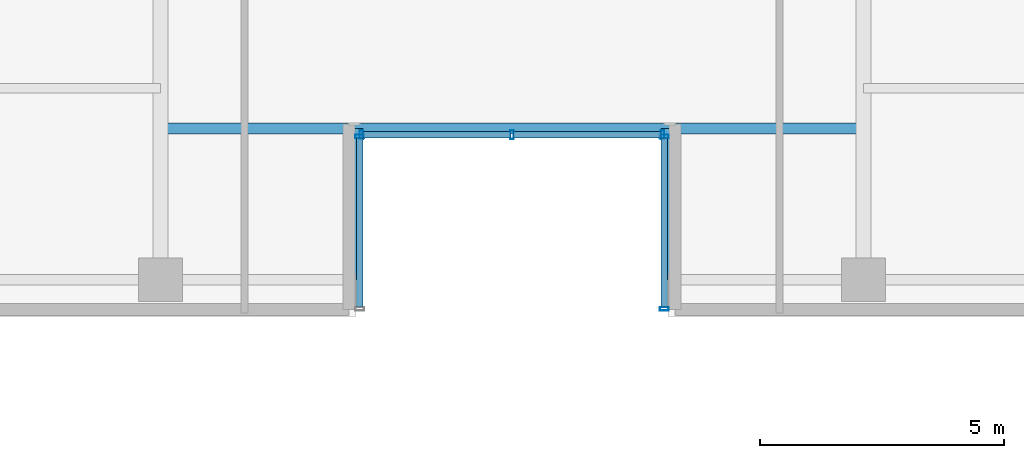
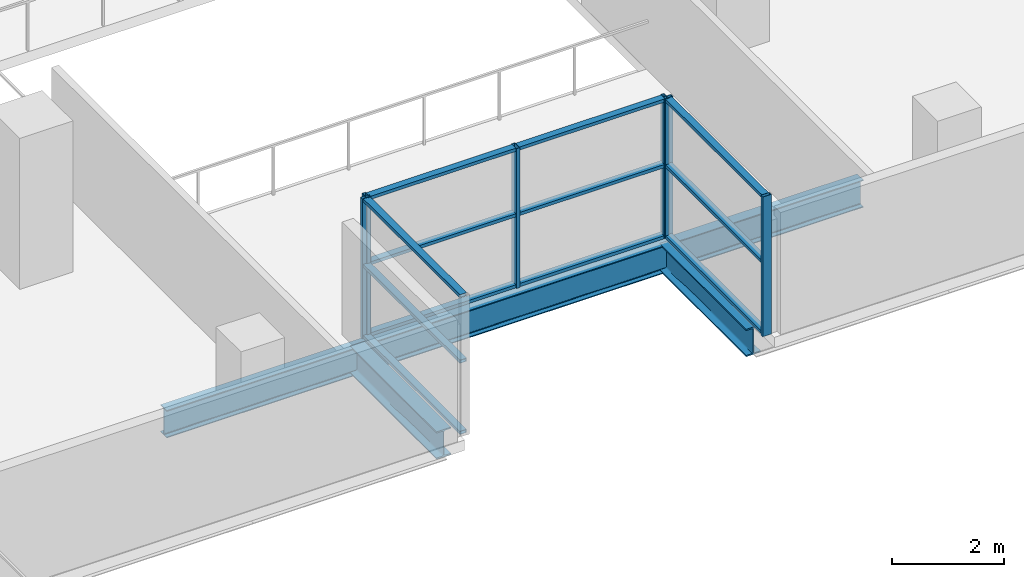
# One storey, part 6 of 26: 18 members, 3 beams, 3 elements without a shape of their own.
"""IFC4 building model written with IfcOpenShell, lengths in metres."""

import ifcopenshell
import ifcopenshell.guid

model = None  # the IFC model being written
_history = None  # IfcOwnerHistory: only IFC2X3 demands one
_inside = {}  # id of a spatial element -> (the spatial element, [elements in it])
_under = {}  # id of a project, library or spatial element -> (it, [spatial elements below it])
_declared = {}  # id of a project -> (the project, [libraries it declares])
_typed = {}  # id of a type object -> (the type object, [elements of that type])
_made_of = {}  # id of a material, layer set ... -> (it, [elements and type objects made of it])


def new_model(schema):
    """Start an empty IFC model of exactly this schema.

    Asked for "IFC4X3", IfcOpenShell would pick the latest addendum, in which some entities
    have other attributes; the version numbers below select the first issue.
    IFC2X3 requires an IfcOwnerHistory on every rooted entity: one is made here for all.
    """
    global model, _history
    if schema == "IFC4X3":
        model = ifcopenshell.file(schema_version=(4, 3, 0, 0))
    else:
        model = ifcopenshell.file(schema=schema)
    _inside.clear()
    _under.clear()
    _declared.clear()
    _typed.clear()
    _made_of.clear()
    _history = None
    if model.schema == "IFC2X3":
        org = make("IfcOrganization", Name="unknown")
        user = make(
            "IfcPersonAndOrganization",
            ThePerson=make("IfcPerson", FamilyName="unknown"),
            TheOrganization=org,
        )
        app = make(
            "IfcApplication",
            ApplicationDeveloper=org,
            Version="unknown",
            ApplicationFullName="unknown",
            ApplicationIdentifier="unknown",
        )
        _history = make(
            "IfcOwnerHistory",
            OwningUser=user,
            OwningApplication=app,
            ChangeAction="ADDED",
            CreationDate=0,
        )
    return model


def make(cls, **values):
    """One entity of the class cls with the attributes given. An attribute that is None is left unset."""
    return model.create_entity(
        cls, **{name: value for name, value in values.items() if value is not None}
    )


def rooted(cls, **values):
    """An entity with a GlobalId (a new one), such as an element, a storey or a relation."""
    return make(cls, GlobalId=ifcopenshell.guid.new(), OwnerHistory=_history, **values)


def si_unit(unit_type, name, prefix=None):
    """IfcSIUnit, for example si_unit("LENGTHUNIT", "METRE", prefix="MILLI")."""
    return make("IfcSIUnit", UnitType=unit_type, Prefix=prefix, Name=name)


def assignment(units):
    """IfcUnitAssignment: the units of a project."""
    return None if units is None else make("IfcUnitAssignment", Units=units)


def point(xyz):
    """IfcCartesianPoint."""
    return None if xyz is None else make("IfcCartesianPoint", Coordinates=xyz)


def direction(xyz):
    """IfcDirection."""
    return None if xyz is None else make("IfcDirection", DirectionRatios=xyz)


def frame(location, z_axis=None, x_axis=None):
    """IfcAxis2Placement3D, a coordinate frame: its origin and axes. An axis left out is left unset."""
    return make(
        "IfcAxis2Placement3D",
        Location=point(location),
        Axis=direction(z_axis),
        RefDirection=direction(x_axis),
    )


def frame_2d(location, x_axis=None):
    """IfcAxis2Placement2D, a coordinate frame in the plane: its origin and x axis."""
    return make(
        "IfcAxis2Placement2D", Location=point(location), RefDirection=direction(x_axis)
    )


def origin():
    """The frame at (0, 0, 0) with its axes left unset."""
    return frame((0.0, 0.0, 0.0))


def origin_2d():
    """The frame at (0, 0) in the plane with its x axis left unset."""
    return frame_2d((0.0, 0.0))


def place(relative_to, where):
    """IfcLocalPlacement: puts the frame where relative to a parent placement (None: the world)."""
    return make(
        "IfcLocalPlacement", PlacementRelTo=relative_to, RelativePlacement=where
    )


def context(
    kind, dimensions, precision=None, world=None, true_north=None, identifier=None
):
    """IfcGeometricRepresentationContext, for example the 3D "Model" context."""
    return make(
        "IfcGeometricRepresentationContext",
        ContextIdentifier=identifier,
        ContextType=kind,
        CoordinateSpaceDimension=dimensions,
        Precision=precision,
        WorldCoordinateSystem=world,
        TrueNorth=true_north,
    )


def subcontext(parent, identifier, kind, view, scale=None):
    """IfcGeometricRepresentationSubContext, for example "Body" below "Model"."""
    return make(
        "IfcGeometricRepresentationSubContext",
        ContextIdentifier=identifier,
        ContextType=kind,
        ParentContext=parent,
        TargetScale=scale,
        TargetView=view,
    )


def project(units=None, contexts=None):
    """IfcProject with its units and contexts."""
    return rooted(
        "IfcProject",
        Name="project",
        RepresentationContexts=contexts,
        UnitsInContext=assignment(units),
    )


def spatial(cls, under=None, at=None, **own):
    """A site, building, storey or space (cls), placed at a placement, below another one or the project."""
    s = rooted(cls, ObjectPlacement=at, **own)
    if under is not None:
        _under.setdefault(under.id(), (under, []))[1].append(s)
    return s


def profile(cls, at=None, kind="AREA", **sizes):
    """A parametric profile (cls). Its sizes go by their IFC names, for example OverallWidth=200.0."""
    return make(cls, ProfileType=kind, Position=at, **sizes)


def hollow_rectangle(**sizes):
    """IfcRectangleHollowProfileDef."""
    return profile("IfcRectangleHollowProfileDef", **sizes)


def i_section(**sizes):
    """IfcIShapeProfileDef."""
    return profile("IfcIShapeProfileDef", **sizes)


def extrude(swept, where, along, depth):
    """IfcExtrudedAreaSolid: the profile swept, set in the frame where, extruded along a direction by depth."""
    return make(
        "IfcExtrudedAreaSolid",
        SweptArea=swept,
        Position=where,
        ExtrudedDirection=direction(along),
        Depth=depth,
    )


def shape(context_of_items, identifier, shape_type, items):
    """IfcShapeRepresentation: the items that make up one representation, for example the "Body"."""
    return make(
        "IfcShapeRepresentation",
        ContextOfItems=context_of_items,
        RepresentationIdentifier=identifier,
        RepresentationType=shape_type,
        Items=items,
    )


def source(mapping_origin, context_of_items, identifier, shape_type, items):
    """IfcRepresentationMap: a shape defined once, which mapped items show again and again."""
    return make(
        "IfcRepresentationMap",
        MappingOrigin=mapping_origin,
        MappedRepresentation=shape(context_of_items, identifier, shape_type, items),
    )


def transform(
    local_origin,
    x_axis=None,
    y_axis=None,
    z_axis=None,
    scale=None,
    scale2=None,
    scale3=None,
    uniform=True,
):
    """IfcCartesianTransformationOperator3D, or its non-uniform kind. x_axis, y_axis, z_axis: its Axis1, 2, 3."""
    if uniform:
        return make(
            "IfcCartesianTransformationOperator3D",
            Axis1=direction(x_axis),
            Axis2=direction(y_axis),
            LocalOrigin=point(local_origin),
            Scale=scale,
            Axis3=direction(z_axis),
        )
    return make(
        "IfcCartesianTransformationOperator3DnonUniform",
        Axis1=direction(x_axis),
        Axis2=direction(y_axis),
        LocalOrigin=point(local_origin),
        Scale=scale,
        Axis3=direction(z_axis),
        Scale2=scale2,
        Scale3=scale3,
    )


def mapped(mapping_source, mapping_target):
    """IfcMappedItem: shows the shape of a source again, moved by a transform."""
    return make(
        "IfcMappedItem", MappingSource=mapping_source, MappingTarget=mapping_target
    )


def material(Name=None, Category=None):
    """IfcMaterial."""
    return make("IfcMaterial", Name=Name, Category=Category)


def layer(
    of_material, thickness, ventilated=None, Name=None, Category=None, Priority=None
):
    """IfcMaterialLayer: one layer of a wall or slab, of a material (None: an air gap)."""
    return make(
        "IfcMaterialLayer",
        Material=of_material,
        LayerThickness=thickness,
        IsVentilated=ventilated,
        Name=Name,
        Category=Category,
        Priority=Priority,
    )


def layer_set(layers, Name=None):
    """IfcMaterialLayerSet."""
    return make("IfcMaterialLayerSet", MaterialLayers=layers, LayerSetName=Name)


def material_profile(
    of_material, cross_section, Name=None, Category=None, Priority=None
):
    """IfcMaterialProfile: a cross section and its material."""
    return make(
        "IfcMaterialProfile",
        Name=Name,
        Material=of_material,
        Profile=cross_section,
        Priority=Priority,
        Category=Category,
    )


def profile_set(profiles, Name=None, composite=None):
    """IfcMaterialProfileSet."""
    return make(
        "IfcMaterialProfileSet",
        Name=Name,
        MaterialProfiles=profiles,
        CompositeProfile=composite,
    )


def made_of(thing, what):
    """Note that an element or type object is made of a material, layer set ...; save() writes the relation."""
    if what is not None:
        _made_of.setdefault(what.id(), (what, []))[1].append(thing)
    return thing


def type_object(cls, material=None, **own):
    """A type object (cls), such as IfcWallType, which elements share."""
    return made_of(rooted(cls, **own), material)


def element(
    cls,
    number,
    at=None,
    inside=None,
    cuts=None,
    type_object=None,
    material=None,
    context=None,
    identifier="Body",
    shape_type=None,
    held_by="IfcProductDefinitionShape",
    body=None,
    shapes=None,
    **own,
):
    """One element of the class cls, such as IfcWall. Its Tag is "e" and its number.

    at: its placement. inside: the storey or other place that contains it. cuts: it is an
    opening in that element (IfcRelVoidsElement). A single representation is given by context,
    identifier, shape_type and body (its items); several are given by shapes. held_by: the class
    of the entity that holds the representations. save() writes the other relations.
    """
    e = rooted(cls, Tag="e%d" % number, ObjectPlacement=at, **own)
    if body is not None:
        shapes = [shape(context, identifier, shape_type, body)]
    if shapes is not None:
        e.Representation = make(held_by, Representations=shapes)
    if inside is not None:
        _inside.setdefault(inside.id(), (inside, []))[1].append(e)
    if cuts is not None:
        rooted(
            "IfcRelVoidsElement", RelatingBuildingElement=cuts, RelatedOpeningElement=e
        )
    if type_object is not None:
        _typed.setdefault(type_object.id(), (type_object, []))[1].append(e)
    return made_of(e, material)


def aggregate(whole, parts):
    """IfcRelAggregates: a whole, such as a stair, and the parts it consists of."""
    return rooted("IfcRelAggregates", RelatingObject=whole, RelatedObjects=parts)


def save(model, path):
    """Write the relations noted so far, then the file.

    IfcRelAggregates (storeys below a building ...), IfcRelContainedInSpatialStructure (elements
    in a storey), IfcRelDefinesByType, IfcRelAssociatesMaterial and IfcRelDeclares: one each for
    every whole, place, type object, material and project.
    """
    for whole, parts in _under.values():
        aggregate(whole, parts)
    for where, things in _inside.values():
        rooted(
            "IfcRelContainedInSpatialStructure",
            RelatedElements=things,
            RelatingStructure=where,
        )
    for kind, things in _typed.values():
        rooted("IfcRelDefinesByType", RelatedObjects=things, RelatingType=kind)
    for what, things in _made_of.values():
        rooted("IfcRelAssociatesMaterial", RelatedObjects=things, RelatingMaterial=what)
    for by, libraries in _declared.values():
        rooted("IfcRelDeclares", RelatingContext=by, RelatedDefinitions=libraries)
    model.write(path)


model = new_model("IFC4")

# Units and contexts
model_context = context("Model", 3, precision=1e-05, world=origin(), true_north=direction((0.0, 1.0)))
body_context = subcontext(model_context, "Body", "Model", "MODEL_VIEW")
ifc_project = project(units=[si_unit("LENGTHUNIT", "METRE"), si_unit("AREAUNIT", "SQUARE_METRE"), si_unit("VOLUMEUNIT", "CUBIC_METRE"), si_unit("PLANEANGLEUNIT", "RADIAN"), si_unit("MASSUNIT", "GRAM", prefix="KILO")], contexts=[model_context])

# Site, building, storey
site_placement = place(None, origin())
site = spatial("IfcSite", under=ifc_project, at=site_placement, CompositionType="ELEMENT")
building_placement = place(site_placement, origin())
building = spatial("IfcBuilding", under=site, at=building_placement, Name="Zarnakvel Exchange Tower", CompositionType="ELEMENT")
storey_placement = place(building_placement, frame((0.0, 0.0, 70.300048828125)))
storey = spatial("IfcBuildingStorey", under=building, at=storey_placement, Name="L19", CompositionType="ELEMENT", Elevation=70.300048828125)

# Beams
ifc_material_1 = material(Name="Steel S355", Category="steel")
ifc_material_profile_1 = material_profile(ifc_material_1, i_section(OverallWidth=0.300048828125, OverallDepth=0.60009765625, WebThickness=0.015380859375, FlangeThickness=0.030029296875, FilletRadius=0.027099609375, at=origin_2d()))
ifc_profile_set_1 = profile_set([ifc_material_profile_1], Name="Steel S355")
beam_type_1 = type_object("IfcBeamType", Name="G-04", PredefinedType="BEAM", material=ifc_profile_set_1)
for number, where, z_axis, x_axis, name in (
    (1, (-3.199951171875, -17.449951171875, -0.525146484375), (0.0, 1.0, 0.0), (-1.0, 0.0, 0.0), "L19 South Slot West Cheek Beam"),
    (2, (3.199951171875, -17.449951171875, -0.525146484375), (0.0, 1.0, 0.0), (-1.0, 0.0, 0.0), "L19 South Slot East Cheek Beam"),
):
    element("IfcBeam", number, at=place(storey_placement, frame(where, z_axis=z_axis, x_axis=x_axis)), inside=storey, type_object=beam_type_1, Name=name, PredefinedType="BEAM", context=body_context, shape_type="SweptSolid", body=[
        extrude(i_section(OverallWidth=0.300048828125, OverallDepth=0.60009765625, WebThickness=0.015380859375, FlangeThickness=0.030029296875, FilletRadius=0.027099609375, at=origin_2d()), origin(), (0.0, 0.0, 1.0), 3.099853515625),
    ])
ifc_material_profile_2 = material_profile(ifc_material_1, i_section(OverallWidth=0.219970703125, OverallDepth=0.60009765625, WebThickness=0.011962890625, FlangeThickness=0.01904296875, FilletRadius=0.02392578125, at=origin_2d()))
ifc_profile_set_2 = profile_set([ifc_material_profile_2], Name="Steel S355")
beam_type_2 = type_object("IfcBeamType", Name="SP-01", PredefinedType="SPANDREL", material=ifc_profile_set_2)
beam_placement = place(storey_placement, frame((-7.199951171875, -14.35009765625, -0.525146484375), z_axis=(1.0, 0.0, 0.0), x_axis=(0.0, 1.0, 0.0)))
element("IfcBeam", 3, at=beam_placement, inside=storey, type_object=beam_type_2, Name="L19 South Slot Head Trimmer Girder", PredefinedType="SPANDREL", context=body_context, shape_type="SweptSolid", body=[
    extrude(i_section(OverallWidth=0.219970703125, OverallDepth=0.60009765625, WebThickness=0.011962890625, FlangeThickness=0.01904296875, FilletRadius=0.02392578125, at=origin_2d()), origin(), (0.0, 0.0, 1.0), 14.39990234375),
])

# Curtain wall, members
ifc_material_2 = material(Name="Architectural Bronze Anodised Aluminium", Category="aluminium")
ifc_layer = layer(ifc_material_2, 0.179931640625)
ifc_layer_set = layer_set([ifc_layer], Name="Architectural Bronze Anodised Aluminium")
curtain_wall_type = type_object("IfcCurtainWallType", Name="CW-05", PredefinedType="NOTDEFINED", material=ifc_layer_set)
curtain_wall_1_placement = place(storey_placement, origin())
curtain_wall_1 = element("IfcCurtainWall", 4, at=curtain_wall_1_placement, inside=storey, type_object=curtain_wall_type, Name="L19 Curtain Wall CW-L19-SLW (CW-05)", PredefinedType="NOTDEFINED")
ifc_material_profile_3 = material_profile(ifc_material_2, hollow_rectangle(XDim=0.139892578125, YDim=0.070068359375, WallThickness=0.00390625, at=origin_2d()))
ifc_profile_set_3 = profile_set([ifc_material_profile_3], Name="Architectural Bronze Anodised Aluminium")
member_type_1 = type_object("IfcMemberType", Name="CWT-05", PredefinedType="USERDEFINED", material=ifc_profile_set_3)
shared_shape_1 = source(origin(), body_context, "Body", "SweptSolid", [
    extrude(hollow_rectangle(XDim=0.139892578125, YDim=0.070068359375, WallThickness=0.00390625, at=origin_2d()), origin(), (0.0, 0.0, 1.0), 3.4599609375),
])
member_1_placement = place(storey_placement, frame((-3.1201171875, -18.010009765625, 0.034912109375), z_axis=(0.0, 1.0, 0.0), x_axis=(-1.0, 0.0, 0.0)))
member_1 = element("IfcMember", 5, at=member_1_placement, type_object=member_type_1, Name="CW-05 transom 1.1", ObjectType="TRANSOM", PredefinedType="USERDEFINED", context=body_context, shape_type="MappedRepresentation", body=[
    mapped(shared_shape_1, transform((0.0, 0.0, 0.0), x_axis=(1.0, 0.0, 0.0), y_axis=(0.0, 1.0, 0.0), z_axis=(0.0, 0.0, 1.0), scale=1.0)),
])
member_2_placement = place(storey_placement, frame((-3.1201171875, -18.010009765625, 1.588623046875), z_axis=(0.0, 1.0, 0.0), x_axis=(-1.0, 0.0, 0.0)))
member_2 = element("IfcMember", 6, at=member_2_placement, type_object=member_type_1, Name="CW-05 transom 1.2", ObjectType="TRANSOM", PredefinedType="USERDEFINED", context=body_context, shape_type="MappedRepresentation", body=[
    mapped(shared_shape_1, transform((0.0, 0.0, 0.0), x_axis=(1.0, 0.0, 0.0), y_axis=(0.0, 1.0, 0.0), z_axis=(0.0, 0.0, 1.0), scale=1.0)),
])
member_3_placement = place(storey_placement, frame((-3.1201171875, -18.010009765625, 3.02001953125), z_axis=(0.0, 1.0, 0.0), x_axis=(-1.0, 0.0, 0.0)))
member_3 = element("IfcMember", 7, at=member_3_placement, type_object=member_type_1, Name="CW-05 transom 1.3", ObjectType="TRANSOM", PredefinedType="USERDEFINED", context=body_context, shape_type="MappedRepresentation", body=[
    mapped(shared_shape_1, transform((0.0, 0.0, 0.0), x_axis=(1.0, 0.0, 0.0), y_axis=(0.0, 1.0, 0.0), z_axis=(0.0, 0.0, 1.0), scale=1.0)),
])

curtain_wall_2_placement = place(storey_placement, origin())
curtain_wall_2 = element("IfcCurtainWall", 8, at=curtain_wall_2_placement, inside=storey, type_object=curtain_wall_type, Name="L19 Curtain Wall CW-L19-SLE (CW-05)", PredefinedType="NOTDEFINED")
member_4_placement = place(storey_placement, frame((3.1201171875, -14.550048828125, 0.034912109375), z_axis=(0.0, -1.0, 0.0), x_axis=(1.0, 0.0, 0.0)))
member_4 = element("IfcMember", 9, at=member_4_placement, type_object=member_type_1, Name="CW-05 transom 1.1", ObjectType="TRANSOM", PredefinedType="USERDEFINED", context=body_context, shape_type="MappedRepresentation", body=[
    mapped(shared_shape_1, transform((0.0, 0.0, 0.0), x_axis=(1.0, 0.0, 0.0), y_axis=(0.0, 1.0, 0.0), z_axis=(0.0, 0.0, 1.0), scale=1.0)),
])
member_5_placement = place(storey_placement, frame((3.1201171875, -14.550048828125, 1.588623046875), z_axis=(0.0, -1.0, 0.0), x_axis=(1.0, 0.0, 0.0)))
member_5 = element("IfcMember", 10, at=member_5_placement, type_object=member_type_1, Name="CW-05 transom 1.2", ObjectType="TRANSOM", PredefinedType="USERDEFINED", context=body_context, shape_type="MappedRepresentation", body=[
    mapped(shared_shape_1, transform((0.0, 0.0, 0.0), x_axis=(1.0, 0.0, 0.0), y_axis=(0.0, 1.0, 0.0), z_axis=(0.0, 0.0, 1.0), scale=1.0)),
])
member_6_placement = place(storey_placement, frame((3.1201171875, -14.550048828125, 3.02001953125), z_axis=(0.0, -1.0, 0.0), x_axis=(1.0, 0.0, 0.0)))
member_6 = element("IfcMember", 11, at=member_6_placement, type_object=member_type_1, Name="CW-05 transom 1.3", ObjectType="TRANSOM", PredefinedType="USERDEFINED", context=body_context, shape_type="MappedRepresentation", body=[
    mapped(shared_shape_1, transform((0.0, 0.0, 0.0), x_axis=(1.0, 0.0, 0.0), y_axis=(0.0, 1.0, 0.0), z_axis=(0.0, 0.0, 1.0), scale=1.0)),
])

curtain_wall_3_placement = place(storey_placement, origin())
curtain_wall_3 = element("IfcCurtainWall", 12, at=curtain_wall_3_placement, inside=storey, type_object=curtain_wall_type, Name="L19 Curtain Wall CW-L19-SLB (CW-05)", PredefinedType="NOTDEFINED")
shared_shape_2 = source(origin(), body_context, "Body", "SweptSolid", [
    extrude(hollow_rectangle(XDim=0.139892578125, YDim=0.070068359375, WallThickness=0.00390625, at=origin_2d()), origin(), (0.0, 0.0, 1.0), 3.01513671875),
])
member_7_placement = place(storey_placement, frame((-3.050048828125, -14.47998046875, 0.034912109375), z_axis=(1.0, 0.0, 0.0), x_axis=(0.0, 1.0, 0.0)))
member_7 = element("IfcMember", 13, at=member_7_placement, type_object=member_type_1, Name="CW-05 transom 1.1", ObjectType="TRANSOM", PredefinedType="USERDEFINED", context=body_context, shape_type="MappedRepresentation", body=[
    mapped(shared_shape_2, transform((0.0, 0.0, 0.0), x_axis=(1.0, 0.0, 0.0), y_axis=(0.0, 1.0, 0.0), z_axis=(0.0, 0.0, 1.0), scale=1.0)),
])
member_8_placement = place(storey_placement, frame((-3.050048828125, -14.47998046875, 1.588623046875), z_axis=(1.0, 0.0, 0.0), x_axis=(0.0, 1.0, 0.0)))
member_8 = element("IfcMember", 14, at=member_8_placement, type_object=member_type_1, Name="CW-05 transom 1.2", ObjectType="TRANSOM", PredefinedType="USERDEFINED", context=body_context, shape_type="MappedRepresentation", body=[
    mapped(shared_shape_2, transform((0.0, 0.0, 0.0), x_axis=(1.0, 0.0, 0.0), y_axis=(0.0, 1.0, 0.0), z_axis=(0.0, 0.0, 1.0), scale=1.0)),
])
member_9_placement = place(storey_placement, frame((-3.050048828125, -14.47998046875, 3.02001953125), z_axis=(1.0, 0.0, 0.0), x_axis=(0.0, 1.0, 0.0)))
member_9 = element("IfcMember", 15, at=member_9_placement, type_object=member_type_1, Name="CW-05 transom 1.3", ObjectType="TRANSOM", PredefinedType="USERDEFINED", context=body_context, shape_type="MappedRepresentation", body=[
    mapped(shared_shape_2, transform((0.0, 0.0, 0.0), x_axis=(1.0, 0.0, 0.0), y_axis=(0.0, 1.0, 0.0), z_axis=(0.0, 0.0, 1.0), scale=1.0)),
])
member_10_placement = place(storey_placement, frame((0.034912109375, -14.47998046875, 0.034912109375), z_axis=(1.0, 0.0, 0.0), x_axis=(0.0, 1.0, 0.0)))
member_10 = element("IfcMember", 16, at=member_10_placement, type_object=member_type_1, Name="CW-05 transom 2.1", ObjectType="TRANSOM", PredefinedType="USERDEFINED", context=body_context, shape_type="MappedRepresentation", body=[
    mapped(shared_shape_2, transform((0.0, 0.0, 0.0), x_axis=(1.0, 0.0, 0.0), y_axis=(0.0, 1.0, 0.0), z_axis=(0.0, 0.0, 1.0), scale=1.0)),
])
member_11_placement = place(storey_placement, frame((0.034912109375, -14.47998046875, 1.588623046875), z_axis=(1.0, 0.0, 0.0), x_axis=(0.0, 1.0, 0.0)))
member_11 = element("IfcMember", 17, at=member_11_placement, type_object=member_type_1, Name="CW-05 transom 2.2", ObjectType="TRANSOM", PredefinedType="USERDEFINED", context=body_context, shape_type="MappedRepresentation", body=[
    mapped(shared_shape_2, transform((0.0, 0.0, 0.0), x_axis=(1.0, 0.0, 0.0), y_axis=(0.0, 1.0, 0.0), z_axis=(0.0, 0.0, 1.0), scale=1.0)),
])
member_12_placement = place(storey_placement, frame((0.034912109375, -14.47998046875, 3.02001953125), z_axis=(1.0, 0.0, 0.0), x_axis=(0.0, 1.0, 0.0)))
member_12 = element("IfcMember", 18, at=member_12_placement, type_object=member_type_1, Name="CW-05 transom 2.3", ObjectType="TRANSOM", PredefinedType="USERDEFINED", context=body_context, shape_type="MappedRepresentation", body=[
    mapped(shared_shape_2, transform((0.0, 0.0, 0.0), x_axis=(1.0, 0.0, 0.0), y_axis=(0.0, 1.0, 0.0), z_axis=(0.0, 0.0, 1.0), scale=1.0)),
])

# Member
ifc_material_profile_4 = material_profile(ifc_material_2, hollow_rectangle(XDim=0.179931640625, YDim=0.070068359375, WallThickness=0.00390625, at=origin_2d()))
ifc_profile_set_4 = profile_set([ifc_material_profile_4], Name="Architectural Bronze Anodised Aluminium")
member_type_2 = type_object("IfcMemberType", Name="CWM-05", PredefinedType="MULLION", material=ifc_profile_set_4)
shared_shape_3 = source(origin(), body_context, "Body", "SweptSolid", [
    extrude(hollow_rectangle(XDim=0.179931640625, YDim=0.070068359375, WallThickness=0.00390625, at=origin_2d()), origin(), (0.0, 0.0, 1.0), 3.054931640625),
])
member_13_placement = place(storey_placement, frame((-3.1201171875, -14.514892578125, 0.0), z_axis=(0.0, 0.0, 1.0), x_axis=(-1.0, 0.0, 0.0)))
member_13 = element("IfcMember", 19, at=member_13_placement, type_object=member_type_2, Name="CW-05 mullion 2", PredefinedType="MULLION", context=body_context, shape_type="MappedRepresentation", body=[
    mapped(shared_shape_3, transform((0.0, 0.0, 0.0), x_axis=(1.0, 0.0, 0.0), y_axis=(0.0, 1.0, 0.0), z_axis=(0.0, 0.0, 1.0), scale=1.0)),
])

aggregate(curtain_wall_1, [member_13, member_1, member_2, member_3])

member_14_placement = place(storey_placement, frame((-3.0849609375, -14.47998046875, 0.0), z_axis=(0.0, 0.0, 1.0), x_axis=(0.0, 1.0, 0.0)))
member_14 = element("IfcMember", 20, at=member_14_placement, type_object=member_type_2, Name="CW-05 mullion 1", PredefinedType="MULLION", context=body_context, shape_type="MappedRepresentation", body=[
    mapped(shared_shape_3, transform((0.0, 0.0, 0.0), x_axis=(1.0, 0.0, 0.0), y_axis=(0.0, 1.0, 0.0), z_axis=(0.0, 0.0, 1.0), scale=1.0)),
])

member_15_placement = place(storey_placement, frame((0.0, -14.47998046875, 0.0), z_axis=(0.0, 0.0, 1.0), x_axis=(0.0, 1.0, 0.0)))
member_15 = element("IfcMember", 21, at=member_15_placement, type_object=member_type_2, Name="CW-05 mullion 2", PredefinedType="MULLION", context=body_context, shape_type="MappedRepresentation", body=[
    mapped(shared_shape_3, transform((0.0, 0.0, 0.0), x_axis=(1.0, 0.0, 0.0), y_axis=(0.0, 1.0, 0.0), z_axis=(0.0, 0.0, 1.0), scale=1.0)),
])

member_16_placement = place(storey_placement, frame((3.0849609375, -14.47998046875, 0.0), z_axis=(0.0, 0.0, 1.0), x_axis=(0.0, 1.0, 0.0)))
member_16 = element("IfcMember", 22, at=member_16_placement, type_object=member_type_2, Name="CW-05 mullion 3", PredefinedType="MULLION", context=body_context, shape_type="MappedRepresentation", body=[
    mapped(shared_shape_3, transform((0.0, 0.0, 0.0), x_axis=(1.0, 0.0, 0.0), y_axis=(0.0, 1.0, 0.0), z_axis=(0.0, 0.0, 1.0), scale=1.0)),
])

aggregate(curtain_wall_3, [member_14, member_15, member_16, member_7, member_8, member_9, member_10, member_11, member_12])

member_17_placement = place(storey_placement, frame((3.1201171875, -14.514892578125, 0.0), z_axis=(0.0, 0.0, 1.0), x_axis=(1.0, 0.0, 0.0)))
member_17 = element("IfcMember", 23, at=member_17_placement, type_object=member_type_2, Name="CW-05 mullion 1", PredefinedType="MULLION", context=body_context, shape_type="MappedRepresentation", body=[
    mapped(shared_shape_3, transform((0.0, 0.0, 0.0), x_axis=(1.0, 0.0, 0.0), y_axis=(0.0, 1.0, 0.0), z_axis=(0.0, 0.0, 1.0), scale=1.0)),
])

member_18_placement = place(storey_placement, frame((3.1201171875, -18.044921875, 0.0), z_axis=(0.0, 0.0, 1.0), x_axis=(1.0, 0.0, 0.0)))
member_18 = element("IfcMember", 24, at=member_18_placement, type_object=member_type_2, Name="CW-05 mullion 2", PredefinedType="MULLION", context=body_context, shape_type="MappedRepresentation", body=[
    mapped(shared_shape_3, transform((0.0, 0.0, 0.0), x_axis=(1.0, 0.0, 0.0), y_axis=(0.0, 1.0, 0.0), z_axis=(0.0, 0.0, 1.0), scale=1.0)),
])

aggregate(curtain_wall_2, [member_17, member_18, member_4, member_5, member_6])

save(model, "model.ifc")
